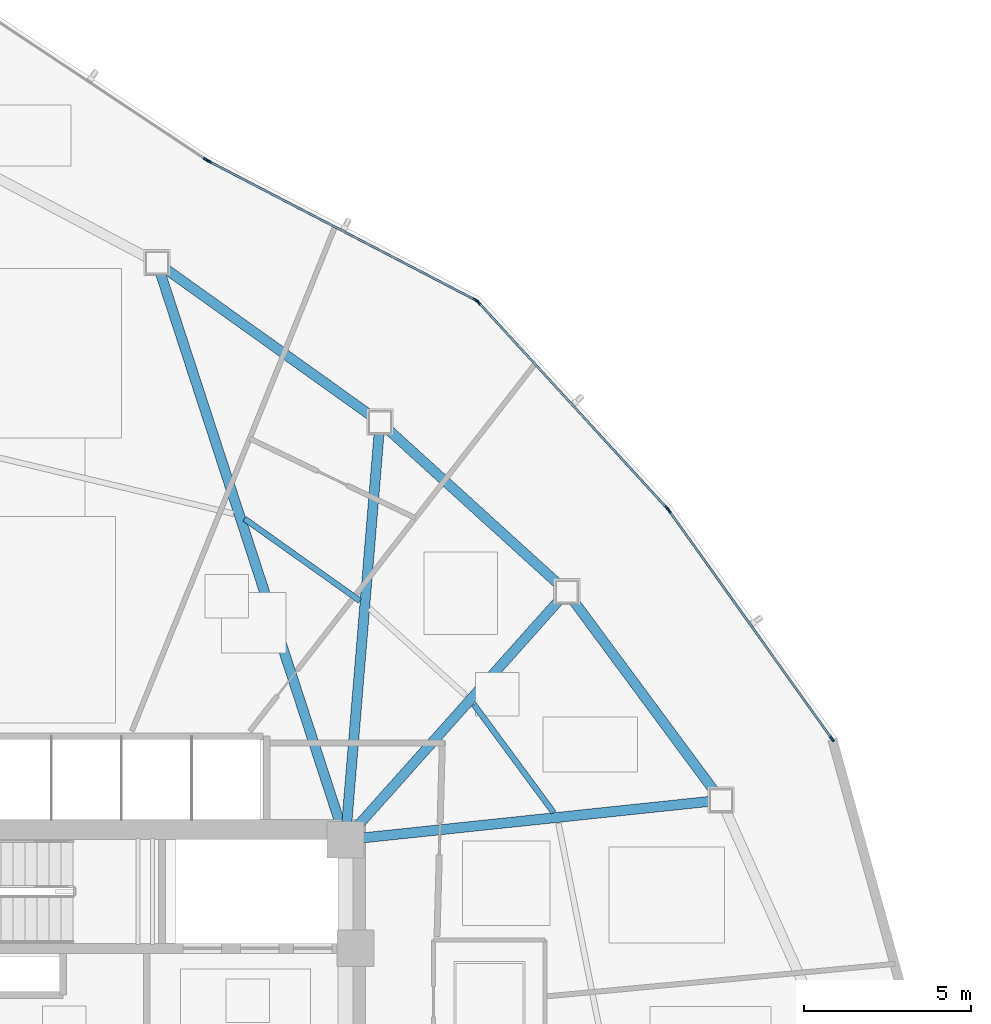
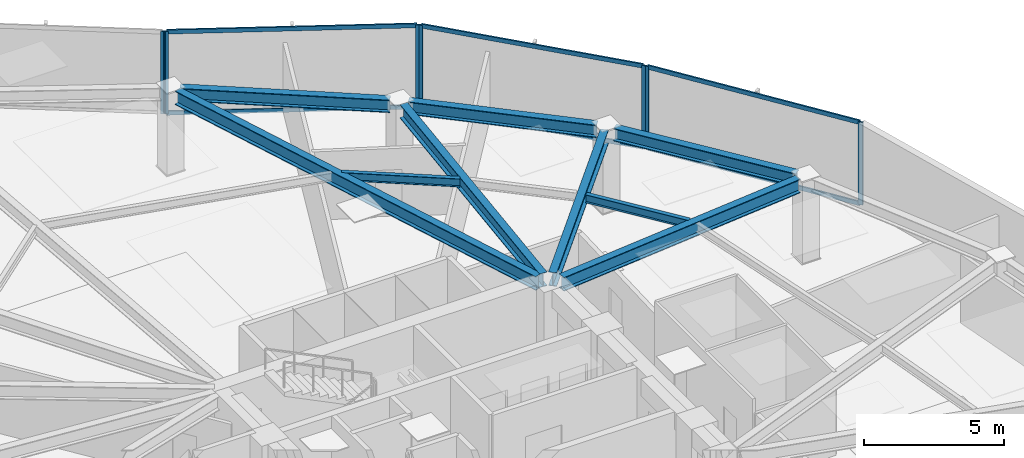
# One storey, part 10 of 18: 13 members, 9 beams, 4 elements without a shape of their own.
"""IFC4 building model written with IfcOpenShell, lengths in metres."""

from ifc_helpers import new_model, si_unit, direction, frame, origin, origin_2d, place, context, subcontext, project, spatial, hollow_rectangle, i_section, extrude, source, transform, mapped, material, layer, layer_set, material_profile, profile_set, type_object, type_shapes, element, aggregate, save


model = new_model("IFC4")

# Units and contexts
model_context = context("Model", 3, precision=1e-05, world=origin(), true_north=direction((0.0, 1.0)))
body_context = subcontext(model_context, "Body", "Model", "MODEL_VIEW")
ifc_project = project(units=[si_unit("LENGTHUNIT", "METRE"), si_unit("AREAUNIT", "SQUARE_METRE"), si_unit("VOLUMEUNIT", "CUBIC_METRE"), si_unit("PLANEANGLEUNIT", "RADIAN"), si_unit("MASSUNIT", "GRAM", prefix="KILO")], contexts=[model_context])

# Site, building, storey
site_placement = place(None, origin())
site = spatial("IfcSite", under=ifc_project, at=site_placement, CompositionType="ELEMENT")
building_placement = place(site_placement, origin())
building = spatial("IfcBuilding", under=site, at=building_placement, Name="Tavelor Broadcast Tower", CompositionType="ELEMENT")
storey_placement = place(building_placement, frame((0.0, 0.0, 62.699951171875)))
storey = spatial("IfcBuildingStorey", under=building, at=storey_placement, Name="L14", CompositionType="ELEMENT", Elevation=62.699951171875)

# Beams
ifc_material_1 = material(Name="Steel S355", Category="steel")
ifc_material_profile_1 = material_profile(ifc_material_1, i_section(OverallWidth=0.169921875, OverallDepth=0.360107421875, WebThickness=0.008056640625, FlangeThickness=0.0126953125, at=origin_2d()), Name="IPE 360")
ifc_profile_set_1 = profile_set([ifc_material_profile_1], Name="Steel S355")
beam_type_1 = type_object("IfcBeamType", Name="Composite Floor Joist T2 IPE 360", PredefinedType="JOIST", material=ifc_profile_set_1)
beam_1_placement = place(storey_placement, frame((62.831298828125, 52.012451171875, 3.420166015625), z_axis=(-0.593748309908, 0.804650821463, 0.0), x_axis=(-0.804650821463, -0.593748309908, 0.0)))
element("IfcBeam", 1, at=beam_1_placement, inside=storey, type_object=beam_type_1, Name="L14 Secondary Composite Floor Joist 15", PredefinedType="JOIST", context=body_context, shape_type="SweptSolid", body=[
    extrude(i_section(OverallWidth=0.169921875, OverallDepth=0.360107421875, WebThickness=0.008056640625, FlangeThickness=0.0126953125, at=origin_2d()), origin(), (0.0, 0.0, 1.0), 4.016845703125),
])
beam_2_placement = place(storey_placement, frame((57.03564453125, 58.34765625, 3.420166015625), z_axis=(-0.814948080737, 0.579533972864, 0.0), x_axis=(-0.579533972864, -0.814948080737, 0.0)))
element("IfcBeam", 2, at=beam_2_placement, inside=storey, type_object=beam_type_1, Name="L14 Secondary Composite Floor Joist 17", PredefinedType="JOIST", context=body_context, shape_type="SweptSolid", body=[
    extrude(i_section(OverallWidth=0.169921875, OverallDepth=0.360107421875, WebThickness=0.008056640625, FlangeThickness=0.0126953125, at=origin_2d()), origin(), (0.0, 0.0, 1.0), 4.24462890625),
])
ifc_material_profile_2 = material_profile(ifc_material_1, i_section(OverallWidth=0.300048828125, OverallDepth=0.550048828125, WebThickness=0.014892578125, FlangeThickness=0.029052734375, at=origin_2d()), Name="HEB 550")
ifc_profile_set_2 = profile_set([ifc_material_profile_2], Name="Steel S355")
beam_type_2 = type_object("IfcBeamType", Name="Perimeter Spandrel Beam T2 HEB 550", PredefinedType="SPANDREL", material=ifc_profile_set_2)
beam_3_placement = place(storey_placement, frame((67.640869140625, 52.652587890625, 3.324951171875), z_axis=(-0.594676591659, 0.803965018724, 0.0), x_axis=(-0.803965018724, -0.594676591659, 0.0)))
element("IfcBeam", 3, at=beam_3_placement, inside=storey, type_object=beam_type_2, Name="L14 Framed-Tube Ring Spandrel 15", PredefinedType="SPANDREL", context=body_context, shape_type="SweptSolid", body=[
    extrude(i_section(OverallWidth=0.300048828125, OverallDepth=0.550048828125, WebThickness=0.014892578125, FlangeThickness=0.029052734375, at=origin_2d()), origin(), (0.0, 0.0, 1.0), 7.09130859375),
])
beam_4_placement = place(storey_placement, frame((62.975341796875, 58.849609375, 3.324951171875), z_axis=(-0.740416987409, 0.672147814663, 0.0), x_axis=(-0.672147814663, -0.740416987409, 0.0)))
element("IfcBeam", 4, at=beam_4_placement, inside=storey, type_object=beam_type_2, Name="L14 Framed-Tube Ring Spandrel 16", PredefinedType="SPANDREL", context=body_context, shape_type="SweptSolid", body=[
    extrude(i_section(OverallWidth=0.300048828125, OverallDepth=0.550048828125, WebThickness=0.014892578125, FlangeThickness=0.029052734375, at=origin_2d()), origin(), (0.0, 0.0, 1.0), 6.876953125),
])
beam_5_placement = place(storey_placement, frame((57.361572265625, 63.893310546875, 3.324951171875), z_axis=(-0.813492458128, 0.581575464208, 0.0), x_axis=(-0.581575464208, -0.813492458128, 0.0)))
element("IfcBeam", 5, at=beam_5_placement, inside=storey, type_object=beam_type_2, Name="L14 Framed-Tube Ring Spandrel 17", PredefinedType="SPANDREL", context=body_context, shape_type="SweptSolid", body=[
    extrude(i_section(OverallWidth=0.300048828125, OverallDepth=0.550048828125, WebThickness=0.014892578125, FlangeThickness=0.029052734375, at=origin_2d()), origin(), (0.0, 0.0, 1.0), 7.531005859375),
])
ifc_material_profile_3 = material_profile(ifc_material_1, i_section(OverallWidth=0.300048828125, OverallDepth=0.60009765625, WebThickness=0.015380859375, FlangeThickness=0.030029296875, at=origin_2d()), Name="HEB 600")
ifc_profile_set_3 = profile_set([ifc_material_profile_3], Name="Steel S355")
beam_type_3 = type_object("IfcBeamType", Name="Radial Floor Girder T2 HEB 600", PredefinedType="BEAM", material=ifc_profile_set_3)
beam_6_placement = place(storey_placement, frame((57.125, 51.255126953125, 3.300048828125), z_axis=(0.994510577777, 0.104636086941, 0.0), x_axis=(-0.104636086941, 0.994510577777, 0.0)))
element("IfcBeam", 6, at=beam_6_placement, inside=storey, type_object=beam_type_3, Name="L14 Radial Primary Floor Girder 15", PredefinedType="BEAM", context=body_context, shape_type="SweptSolid", body=[
    extrude(i_section(OverallWidth=0.300048828125, OverallDepth=0.60009765625, WebThickness=0.015380859375, FlangeThickness=0.030029296875, at=origin_2d()), origin(), (0.0, 0.0, 1.0), 10.43896484375),
])
beam_7_placement = place(storey_placement, frame((56.951416015625, 51.593994140625, 3.300048828125), z_axis=(0.665778646807, 0.74614931043, 0.0), x_axis=(-0.74614931043, 0.665778646807, 0.0)))
element("IfcBeam", 7, at=beam_7_placement, inside=storey, type_object=beam_type_3, Name="L14 Radial Primary Floor Girder 16", PredefinedType="BEAM", context=body_context, shape_type="SweptSolid", body=[
    extrude(i_section(OverallWidth=0.300048828125, OverallDepth=0.60009765625, WebThickness=0.015380859375, FlangeThickness=0.030029296875, at=origin_2d()), origin(), (0.0, 0.0, 1.0), 9.085693359375),
])
beam_8_placement = place(storey_placement, frame((56.6435546875, 51.726318359375, 3.300048828125), z_axis=(0.082528077466, 0.996588739867, 0.0), x_axis=(-0.996588739867, 0.082528077466, 0.0)))
element("IfcBeam", 8, at=beam_8_placement, inside=storey, type_object=beam_type_3, Name="L14 Radial Primary Floor Girder 17", PredefinedType="BEAM", context=body_context, shape_type="SweptSolid", body=[
    extrude(i_section(OverallWidth=0.300048828125, OverallDepth=0.60009765625, WebThickness=0.015380859375, FlangeThickness=0.030029296875, at=origin_2d()), origin(), (0.0, 0.0, 1.0), 11.67626953125),
])
beam_9_placement = place(storey_placement, frame((56.43603515625, 51.701904296875, 3.300048828125), z_axis=(-0.310367170997, 0.950616757251, 0.0), x_axis=(-0.950616757251, -0.310367170997, 0.0)))
element("IfcBeam", 9, at=beam_9_placement, inside=storey, type_object=beam_type_3, Name="L14 Radial Primary Floor Girder 18", PredefinedType="BEAM", context=body_context, shape_type="SweptSolid", body=[
    extrude(i_section(OverallWidth=0.300048828125, OverallDepth=0.60009765625, WebThickness=0.015380859375, FlangeThickness=0.030029296875, at=origin_2d()), origin(), (0.0, 0.0, 1.0), 17.3017578125),
])

# Curtain wall, members
ifc_material_2 = material(Name="Architectural Anodized Aluminium", Category="aluminium")
ifc_layer = layer(ifc_material_2, 0.179931640625)
ifc_layer_set = layer_set([ifc_layer], Name="Architectural Anodized Aluminium")
curtain_wall_type = type_object("IfcCurtainWallType", Name="Tower Low-Zone Unitised Curtain Wall CW02", PredefinedType="NOTDEFINED", material=ifc_layer_set)
curtain_wall_1_placement = place(storey_placement, origin())
curtain_wall_1 = element("IfcCurtainWall", 10, at=curtain_wall_1_placement, inside=storey, type_object=curtain_wall_type, Name="L14 Curtain Wall CW02 Run 129", PredefinedType="NOTDEFINED")
ifc_material_profile_4 = material_profile(ifc_material_2, hollow_rectangle(XDim=0.06494140625, YDim=0.179931640625, WallThickness=0.02197265625, at=origin_2d()), Name="RHS 65x180x22")
ifc_profile_set_4 = profile_set([ifc_material_profile_4], Name="Architectural Anodized Aluminium")
member_type_1 = type_object("IfcMemberType", Name="CW02 Extruded Aluminium Mullion 65x180", PredefinedType="MULLION", material=ifc_profile_set_4)
shared_shape_1 = source(origin(), body_context, "Body", "SweptSolid", [
    extrude(hollow_rectangle(XDim=0.06494140625, YDim=0.179931640625, WallThickness=0.02197265625, at=origin_2d()), origin(), (0.0, 0.0, 1.0), 3.60009765625),
])
type_shapes(member_type_1, [shared_shape_1])
member_1_placement = place(storey_placement, frame((71.15966796875, 54.217529296875, 0.0), z_axis=(0.0, 0.0, 1.0), x_axis=(-0.813858174488, -0.581063569516, 0.0)))
member_1 = element("IfcMember", 11, at=member_1_placement, type_object=member_type_1, Name="CW02 mullion 1", PredefinedType="MULLION", context=body_context, shape_type="MappedRepresentation", body=[
    mapped(shared_shape_1, transform((0.0, 0.0, 0.0), scale=1.0)),
])
member_2_placement = place(storey_placement, frame((66.28662109375, 61.04296875, 0.0), z_axis=(0.0, 0.0, 1.0), x_axis=(-0.813858174488, -0.581063569516, 0.0)))
member_2 = element("IfcMember", 12, at=member_2_placement, type_object=member_type_1, Name="CW02 mullion 2", PredefinedType="MULLION", context=body_context, shape_type="MappedRepresentation", body=[
    mapped(shared_shape_1, transform((0.0, 0.0, 0.0), scale=1.0)),
])

curtain_wall_2_placement = place(storey_placement, origin())
curtain_wall_2 = element("IfcCurtainWall", 13, at=curtain_wall_2_placement, inside=storey, type_object=curtain_wall_type, Name="L14 Curtain Wall CW02 Run 130", PredefinedType="NOTDEFINED")
member_3_placement = place(storey_placement, frame((66.22705078125, 61.116455078125, 0.0), z_axis=(0.0, 0.0, 1.0), x_axis=(-0.737571242339, -0.67526932588, 0.0)))
member_3 = element("IfcMember", 14, at=member_3_placement, type_object=member_type_1, Name="CW02 mullion 1", PredefinedType="MULLION", context=body_context, shape_type="MappedRepresentation", body=[
    mapped(shared_shape_1, transform((0.0, 0.0, 0.0), scale=1.0)),
])
member_4_placement = place(storey_placement, frame((60.57421875, 67.291015625, 0.0), z_axis=(0.0, 0.0, 1.0), x_axis=(-0.737571242339, -0.67526932588, 0.0)))
member_4 = element("IfcMember", 15, at=member_4_placement, type_object=member_type_1, Name="CW02 mullion 2", PredefinedType="MULLION", context=body_context, shape_type="MappedRepresentation", body=[
    mapped(shared_shape_1, transform((0.0, 0.0, 0.0), scale=1.0)),
])

curtain_wall_3_placement = place(storey_placement, origin())
curtain_wall_3 = element("IfcCurtainWall", 16, at=curtain_wall_3_placement, inside=storey, type_object=curtain_wall_type, Name="L14 Curtain Wall CW02 Run 131", PredefinedType="NOTDEFINED")
member_5_placement = place(storey_placement, frame((60.499755859375, 67.347900390625, 0.0), z_axis=(0.0, 0.0, 1.0), x_axis=(-0.46145063504, -0.887165887206, 0.0)))
member_5 = element("IfcMember", 17, at=member_5_placement, type_object=member_type_1, Name="CW02 mullion 1", PredefinedType="MULLION", context=body_context, shape_type="MappedRepresentation", body=[
    mapped(shared_shape_1, transform((0.0, 0.0, 0.0), scale=1.0)),
])
member_6_placement = place(storey_placement, frame((52.511474609375, 71.5029296875, 0.0), z_axis=(0.0, 0.0, 1.0), x_axis=(-0.46145063504, -0.887165887206, 0.0)))
member_6 = element("IfcMember", 18, at=member_6_placement, type_object=member_type_1, Name="CW02 mullion 2", PredefinedType="MULLION", context=body_context, shape_type="MappedRepresentation", body=[
    mapped(shared_shape_1, transform((0.0, 0.0, 0.0), scale=1.0)),
])

# Curtain wall, member
curtain_wall_4_placement = place(storey_placement, origin())
curtain_wall_4 = element("IfcCurtainWall", 19, at=curtain_wall_4_placement, inside=storey, type_object=curtain_wall_type, Name="L14 Curtain Wall CW02 Run 132", PredefinedType="NOTDEFINED")
member_7_placement = place(storey_placement, frame((52.4296875, 71.55126953125, 0.0), z_axis=(0.0, 0.0, 1.0), x_axis=(-0.553734249118, -0.832693449808, 0.0)))
member_7 = element("IfcMember", 20, at=member_7_placement, type_object=member_type_1, Name="CW02 mullion 1", PredefinedType="MULLION", context=body_context, shape_type="MappedRepresentation", body=[
    mapped(shared_shape_1, transform((0.0, 0.0, 0.0), scale=1.0)),
])
aggregate(curtain_wall_4, [member_7])

# Member
ifc_material_profile_5 = material_profile(ifc_material_2, hollow_rectangle(XDim=0.06494140625, YDim=0.179931640625, WallThickness=0.02197265625, at=origin_2d()), Name="RHS 65x180x22")
ifc_profile_set_5 = profile_set([ifc_material_profile_5], Name="Architectural Anodized Aluminium")
member_type_2 = type_object("IfcMemberType", Name="CW02 Extruded Aluminium Transom 65x180", PredefinedType="USERDEFINED", material=ifc_profile_set_5)
shared_shape_2 = source(origin(), body_context, "Body", "SweptSolid", [
    extrude(hollow_rectangle(XDim=0.06494140625, YDim=0.179931640625, WallThickness=0.02197265625, at=origin_2d()), origin(), (0.0, 0.0, 1.0), 8.939453125),
])
member_8_placement = place(storey_placement, frame((60.470947265625, 67.36279296875, 0.032470703125), z_axis=(-0.88715732281, 0.461467100219, 0.0), x_axis=(-0.461467100219, -0.88715732281, 0.0)))
member_8 = element("IfcMember", 21, at=member_8_placement, type_object=member_type_2, Name="CW02 transom 1.1", ObjectType="TRANSOM", PredefinedType="USERDEFINED", context=body_context, shape_type="MappedRepresentation", body=[
    mapped(shared_shape_2, transform((0.0, 0.0, 0.0), scale=1.0)),
])

member_9_placement = place(storey_placement, frame((60.470947265625, 67.36279296875, 3.567626953125), z_axis=(-0.88715732281, 0.461467100219, 0.0), x_axis=(-0.461467100219, -0.88715732281, 0.0)))
member_9 = element("IfcMember", 22, at=member_9_placement, type_object=member_type_2, Name="CW02 transom 1.2", ObjectType="TRANSOM", PredefinedType="USERDEFINED", context=body_context, shape_type="MappedRepresentation", body=[
    mapped(shared_shape_2, transform((0.0, 0.0, 0.0), scale=1.0)),
])

aggregate(curtain_wall_3, [member_5, member_6, member_8, member_9])

shared_shape_3 = source(origin(), body_context, "Body", "SweptSolid", [
    extrude(hollow_rectangle(XDim=0.06494140625, YDim=0.179931640625, WallThickness=0.02197265625, at=origin_2d()), origin(), (0.0, 0.0, 1.0), 8.321044921875),
])
member_10_placement = place(storey_placement, frame((71.140625, 54.244140625, 0.032470703125), z_axis=(-0.581052225464, 0.813866273588, 0.0), x_axis=(-0.813866273588, -0.581052225464, 0.0)))
member_10 = element("IfcMember", 23, at=member_10_placement, type_object=member_type_2, Name="CW02 transom 1.1", ObjectType="TRANSOM", PredefinedType="USERDEFINED", context=body_context, shape_type="MappedRepresentation", body=[
    mapped(shared_shape_3, transform((0.0, 0.0, 0.0), scale=1.0)),
])

member_11_placement = place(storey_placement, frame((71.140625, 54.244140625, 3.567626953125), z_axis=(-0.581052225464, 0.813866273588, 0.0), x_axis=(-0.813866273588, -0.581052225464, 0.0)))
member_11 = element("IfcMember", 24, at=member_11_placement, type_object=member_type_2, Name="CW02 transom 1.2", ObjectType="TRANSOM", PredefinedType="USERDEFINED", context=body_context, shape_type="MappedRepresentation", body=[
    mapped(shared_shape_3, transform((0.0, 0.0, 0.0), scale=1.0)),
])

aggregate(curtain_wall_1, [member_1, member_2, member_10, member_11])

shared_shape_4 = source(origin(), body_context, "Body", "SweptSolid", [
    extrude(hollow_rectangle(XDim=0.06494140625, YDim=0.179931640625, WallThickness=0.02197265625, at=origin_2d()), origin(), (0.0, 0.0, 1.0), 8.30615234375),
])
type_shapes(member_type_2, [shared_shape_2, shared_shape_3, shared_shape_4])
member_12_placement = place(storey_placement, frame((66.205078125, 61.140625, 0.032470703125), z_axis=(-0.675263976719, 0.737576139626, 0.0), x_axis=(-0.737576139626, -0.675263976719, 0.0)))
member_12 = element("IfcMember", 25, at=member_12_placement, type_object=member_type_2, Name="CW02 transom 1.1", ObjectType="TRANSOM", PredefinedType="USERDEFINED", context=body_context, shape_type="MappedRepresentation", body=[
    mapped(shared_shape_4, transform((0.0, 0.0, 0.0), scale=1.0)),
])

member_13_placement = place(storey_placement, frame((66.205078125, 61.140625, 3.567626953125), z_axis=(-0.675263976719, 0.737576139626, 0.0), x_axis=(-0.737576139626, -0.675263976719, 0.0)))
member_13 = element("IfcMember", 26, at=member_13_placement, type_object=member_type_2, Name="CW02 transom 1.2", ObjectType="TRANSOM", PredefinedType="USERDEFINED", context=body_context, shape_type="MappedRepresentation", body=[
    mapped(shared_shape_4, transform((0.0, 0.0, 0.0), scale=1.0)),
])

aggregate(curtain_wall_2, [member_3, member_4, member_12, member_13])

save(model, "model.ifc")
